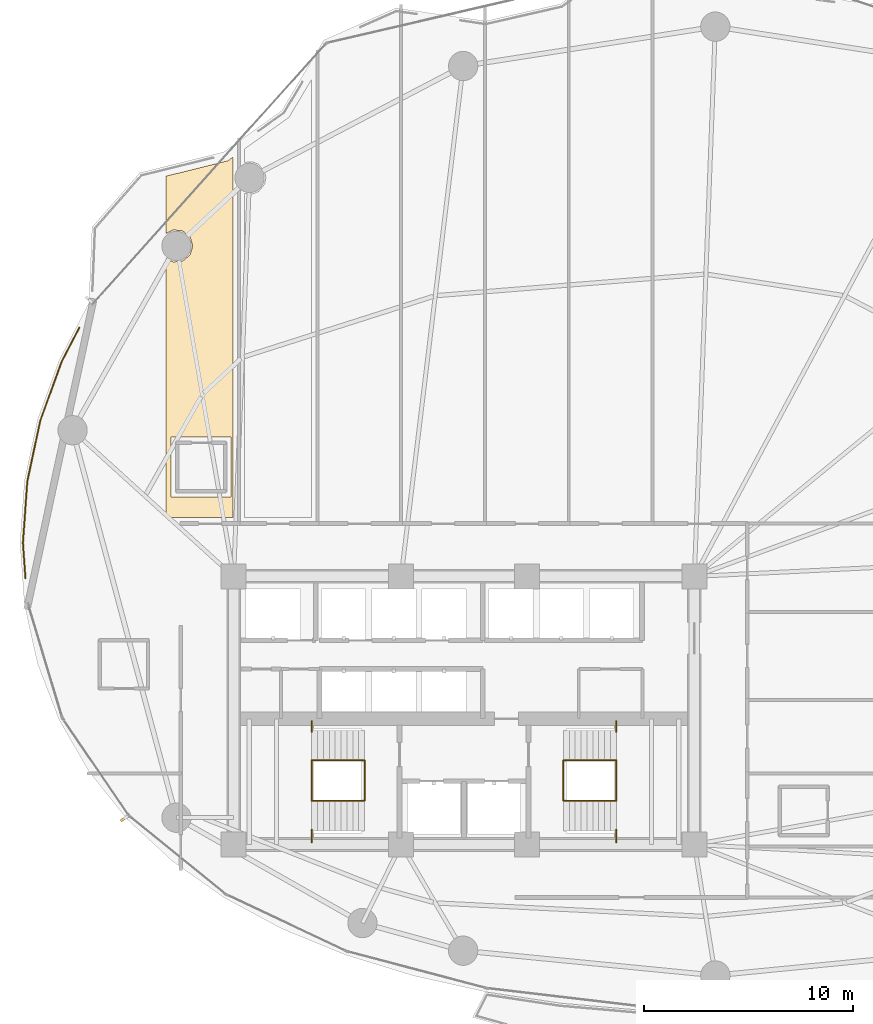
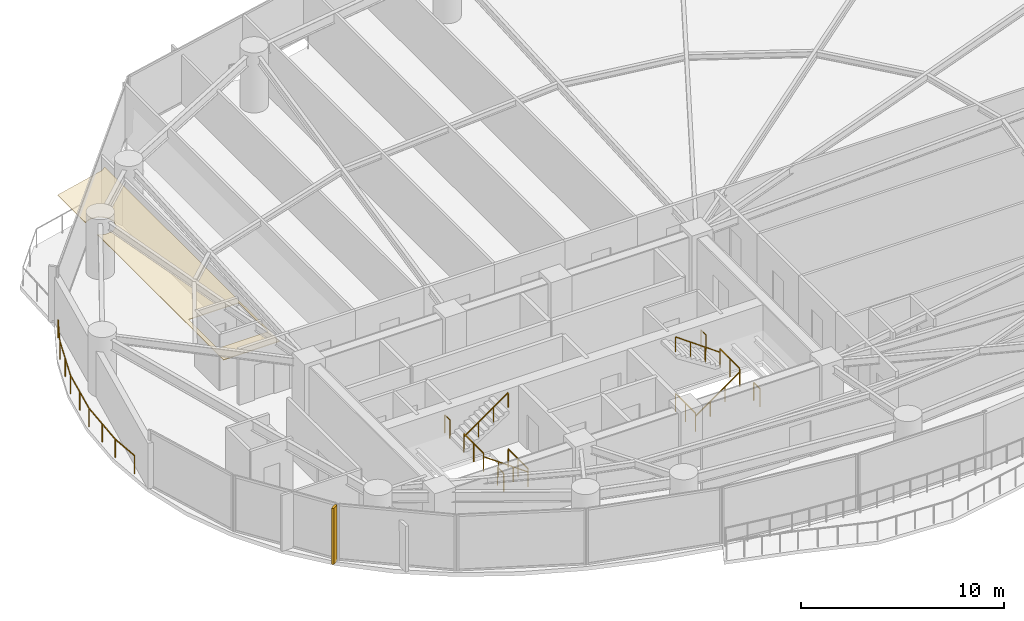
# One storey, part 29 of 31: 13 railings, 1 covering, 1 shading device.
"""IFC4 building model written with IfcOpenShell, lengths in metres."""

from ifc_helpers import new_model, si_unit, direction, frame, origin, origin_2d, place, context, subcontext, project, spatial, polyline, rectangle, outline, extrude, material, layer, layer_set, type_object, element, save


model = new_model("IFC4")

# Units and contexts
model_context = context("Model", 3, precision=1e-05, world=origin(), true_north=direction((0.0, 1.0)))
body_context = subcontext(model_context, "Body", "Model", "MODEL_VIEW")
ifc_project = project(units=[si_unit("LENGTHUNIT", "METRE"), si_unit("AREAUNIT", "SQUARE_METRE"), si_unit("VOLUMEUNIT", "CUBIC_METRE"), si_unit("PLANEANGLEUNIT", "RADIAN"), si_unit("MASSUNIT", "GRAM", prefix="KILO")], contexts=[model_context])

# Site, building, storey
site_placement = place(None, origin())
site = spatial("IfcSite", under=ifc_project, at=site_placement, CompositionType="ELEMENT")
building_placement = place(site_placement, origin())
building = spatial("IfcBuilding", under=site, at=building_placement, Name="Kazevale Care Tower and Concert Hall", CompositionType="ELEMENT")
storey_placement = place(building_placement, frame((0.0, 0.0, 81.60009765625)))
storey = spatial("IfcBuildingStorey", under=building, at=storey_placement, Name="L21", CompositionType="ELEMENT", Elevation=81.60009765625)

# Covering
ifc_material_1 = material(Name="Acoustic Plaster and Hinoki Wood", Category="wood")
ifc_layer = layer(ifc_material_1, 0.0400390625)
ifc_layer_set = layer_set([ifc_layer], Name="Acoustic Plaster and Hinoki Wood")
covering_type = type_object("IfcCoveringType", Name="Acoustic Perforated Wood-Gypsum Ceiling", PredefinedType="CEILING", material=ifc_layer_set)
covering_placement = place(storey_placement, frame((0.0, 0.0, 2.7099609375)))
element("IfcCovering", 1, at=covering_placement, inside=storey, type_object=covering_type, Name="clg:L21:1", PredefinedType="CEILING", context=body_context, shape_type="SweptSolid", body=[
    extrude(outline(polyline([(21.969970703125, 56.419921875), (21.969970703125, 39.205078125), (18.780029296875, 39.205078125), (18.780029296875, 51.577880859375), (19.117919921875, 51.4150390625), (19.568115234375, 51.458984375), (19.9189453125, 51.7470703125), (20.050048828125, 52.179931640625), (19.9189453125, 52.613037109375), (19.568115234375, 52.90087890625), (19.117919921875, 52.945068359375), (18.780029296875, 52.781982421875), (18.780029296875, 55.513916015625), (21.718994140625, 56.241943359375), (21.969970703125, 56.419921875)]), holes=[polyline([(19.02001953125, 43.054931640625), (19.02001953125, 40.195068359375), (21.8798828125, 40.195068359375), (21.8798828125, 43.054931640625), (19.02001953125, 43.054931640625)])]), origin(), (0.0, 0.0, 1.0), 0.0400390625),
])

# Railings
ifc_material_2 = material(Name="Anodised Bronze Aluminium and Laminated Glass", Category="aluminium")
railing_type_1 = type_object("IfcRailingType", Name="Balcony and Terrace Balustrade 1120", PredefinedType="BALUSTRADE", material=ifc_material_2)
railing_1_placement = place(storey_placement, frame((12.06005859375, 36.31103515625, 0.0)))
element("IfcRailing", 2, at=railing_1_placement, inside=storey, type_object=railing_type_1, Name="rail:L21:perim:1", PredefinedType="BALUSTRADE", context=body_context, shape_type="SweptSolid", body=[
    extrude(rectangle(XDim=0.048095703125, YDim=0.048095703125, at=origin_2d()), frame((0.0, 0.0, 1.09619140625), z_axis=(-0.070939644406, 0.997480609762, 0.0), x_axis=(-0.997480609762, -0.070939644406, 0.0)), (0.0, 0.0, 1.0), 1.693115234375),
    extrude(rectangle(XDim=0.048095703125, YDim=0.048095703125, at=origin_2d()), frame((-0.1201171875, 1.68896484375, 1.09619140625), z_axis=(0.070669368456, 0.997499794668, 0.0), x_axis=(-0.997499794668, 0.070669368456, 0.0)), (0.0, 0.0, 1.0), 2.943359375),
    extrude(rectangle(XDim=0.048095703125, YDim=0.048095703125, at=origin_2d()), frame((0.087890625, 4.625, 1.09619140625), z_axis=(0.208798068262, 0.977958775558, 0.0), x_axis=(-0.977958775558, 0.208798068262, 0.0)), (0.0, 0.0, 1.0), 2.96533203125),
    extrude(rectangle(XDim=0.048095703125, YDim=0.048095703125, at=origin_2d()), frame((0.70703125, 7.52490234375, 1.09619140625), z_axis=(0.340817262657, 0.940129562069, 0.0), x_axis=(-0.940129562069, 0.340817262657, 0.0)), (0.0, 0.0, 1.0), 3.007080078125),
    extrude(rectangle(XDim=0.048095703125, YDim=0.048095703125, at=origin_2d()), frame((1.73193359375, 10.35205078125, 1.09619140625), z_axis=(0.461849030606, 0.886958551979, 0.0), x_axis=(-0.886958551979, 0.461849030606, 0.0)), (0.0, 0.0, 1.0), 1.827392578125),
    extrude(rectangle(XDim=0.0419921875, YDim=0.0419921875, at=origin_2d()), origin(), (0.0, 0.0, 1.0), 1.072021484375),
    extrude(rectangle(XDim=0.0419921875, YDim=0.0419921875, at=origin_2d()), frame((-0.1201171875, 1.68896484375, 0.0)), (0.0, 0.0, 1.0), 1.072021484375),
    extrude(rectangle(XDim=0.0419921875, YDim=0.0419921875, at=origin_2d()), frame((-0.01611328125, 3.156982421875, 0.0)), (0.0, 0.0, 1.0), 1.072021484375),
    extrude(rectangle(XDim=0.0419921875, YDim=0.0419921875, at=origin_2d()), frame((0.087890625, 4.625, 0.0)), (0.0, 0.0, 1.0), 1.072021484375),
    extrude(rectangle(XDim=0.0419921875, YDim=0.0419921875, at=origin_2d()), frame((0.3974609375, 6.074951171875, 0.0)), (0.0, 0.0, 1.0), 1.072021484375),
    extrude(rectangle(XDim=0.0419921875, YDim=0.0419921875, at=origin_2d()), frame((0.70703125, 7.52490234375, 0.0)), (0.0, 0.0, 1.0), 1.072021484375),
    extrude(rectangle(XDim=0.0419921875, YDim=0.0419921875, at=origin_2d()), frame((1.219482421875, 8.9384765625, 0.0)), (0.0, 0.0, 1.0), 1.072021484375),
    extrude(rectangle(XDim=0.0419921875, YDim=0.0419921875, at=origin_2d()), frame((1.73193359375, 10.35205078125, 0.0)), (0.0, 0.0, 1.0), 1.072021484375),
    extrude(rectangle(XDim=0.0419921875, YDim=0.0419921875, at=origin_2d()), frame((2.575927734375, 11.972900390625, 0.0)), (0.0, 0.0, 1.0), 1.072021484375),
])
ifc_material_3 = material(Name="Stainless Steel 316", Category="steel")
railing_type_2 = type_object("IfcRailingType", Name="Stair Pitch Handrail 920", PredefinedType="HANDRAIL", material=ifc_material_3)
railing_2_placement = place(storey_placement, frame((28.25, 25.679931640625, 0.0)))
element("IfcRailing", 3, at=railing_2_placement, inside=storey, type_object=railing_type_2, Name="stair:L21:ST1:hr1", PredefinedType="HANDRAIL", context=body_context, shape_type="SweptSolid", body=[
    extrude(rectangle(XDim=0.048095703125, YDim=0.048095703125, at=origin_2d()), frame((0.0, 0.0, 0.89599609375), z_axis=(-0.813765431312, 0.0, 0.581193446971), x_axis=(0.0, -1.0, 0.0)), (0.0, 0.0, 1.0), 3.0966796875),
    extrude(rectangle(XDim=0.0419921875, YDim=0.0419921875, at=origin_2d()), origin(), (0.0, 0.0, 1.0), 0.871826171875),
    extrude(rectangle(XDim=0.0419921875, YDim=0.0419921875, at=origin_2d()), frame((-0.840087890625, 0.0, 0.599853515625)), (0.0, 0.0, 1.0), 0.871826171875),
    extrude(rectangle(XDim=0.0419921875, YDim=0.0419921875, at=origin_2d()), frame((-1.679931640625, 0.0, 1.199951171875)), (0.0, 0.0, 1.0), 0.871826171875),
    extrude(rectangle(XDim=0.0419921875, YDim=0.0419921875, at=origin_2d()), frame((-2.52001953125, 0.0, 1.7998046875)), (0.0, 0.0, 1.0), 0.871826171875),
])
railing_3_placement = place(storey_placement, frame((25.72998046875, 27.6201171875, 1.7998046875)))
element("IfcRailing", 4, at=railing_3_placement, inside=storey, type_object=railing_type_2, Name="stair:L21:ST1:hr2", PredefinedType="HANDRAIL", context=body_context, shape_type="SweptSolid", body=[
    extrude(rectangle(XDim=0.048095703125, YDim=0.048095703125, at=origin_2d()), frame((0.0, 0.0, 0.89599609375), z_axis=(0.813728144527, 0.0, 0.581245650998), x_axis=(0.0, 1.0, 0.0)), (0.0, 0.0, 1.0), 3.096923828125),
    extrude(rectangle(XDim=0.0419921875, YDim=0.0419921875, at=origin_2d()), origin(), (0.0, 0.0, 1.0), 0.871826171875),
    extrude(rectangle(XDim=0.0419921875, YDim=0.0419921875, at=origin_2d()), frame((0.840087890625, 0.0, 0.60009765625)), (0.0, 0.0, 1.0), 0.871826171875),
    extrude(rectangle(XDim=0.0419921875, YDim=0.0419921875, at=origin_2d()), frame((1.679931640625, 0.0, 1.199951171875)), (0.0, 0.0, 1.0), 0.871826171875),
    extrude(rectangle(XDim=0.0419921875, YDim=0.0419921875, at=origin_2d()), frame((2.52001953125, 0.0, 1.800048828125)), (0.0, 0.0, 1.0), 0.871826171875),
])
railing_4_placement = place(storey_placement, frame((37.75, 25.679931640625, 0.0)))
element("IfcRailing", 5, at=railing_4_placement, inside=storey, type_object=railing_type_2, Name="stair:L21:ST2:hr1", PredefinedType="HANDRAIL", context=body_context, shape_type="SweptSolid", body=[
    extrude(rectangle(XDim=0.048095703125, YDim=0.048095703125, at=origin_2d()), frame((0.0, 0.0, 0.89599609375), z_axis=(0.813765431312, 0.0, 0.581193446971), x_axis=(0.0, 1.0, 0.0)), (0.0, 0.0, 1.0), 3.0966796875),
    extrude(rectangle(XDim=0.0419921875, YDim=0.0419921875, at=origin_2d()), origin(), (0.0, 0.0, 1.0), 0.871826171875),
    extrude(rectangle(XDim=0.0419921875, YDim=0.0419921875, at=origin_2d()), frame((0.840087890625, 0.0, 0.599853515625)), (0.0, 0.0, 1.0), 0.871826171875),
    extrude(rectangle(XDim=0.0419921875, YDim=0.0419921875, at=origin_2d()), frame((1.679931640625, 0.0, 1.199951171875)), (0.0, 0.0, 1.0), 0.871826171875),
    extrude(rectangle(XDim=0.0419921875, YDim=0.0419921875, at=origin_2d()), frame((2.52001953125, 0.0, 1.7998046875)), (0.0, 0.0, 1.0), 0.871826171875),
])
railing_5_placement = place(storey_placement, frame((40.27001953125, 27.6201171875, 1.7998046875)))
element("IfcRailing", 6, at=railing_5_placement, inside=storey, type_object=railing_type_2, Name="stair:L21:ST2:hr2", PredefinedType="HANDRAIL", context=body_context, shape_type="SweptSolid", body=[
    extrude(rectangle(XDim=0.048095703125, YDim=0.048095703125, at=origin_2d()), frame((0.0, 0.0, 0.89599609375), z_axis=(-0.813728144527, 0.0, 0.581245650998), x_axis=(0.0, -1.0, 0.0)), (0.0, 0.0, 1.0), 3.096923828125),
    extrude(rectangle(XDim=0.0419921875, YDim=0.0419921875, at=origin_2d()), origin(), (0.0, 0.0, 1.0), 0.871826171875),
    extrude(rectangle(XDim=0.0419921875, YDim=0.0419921875, at=origin_2d()), frame((-0.840087890625, 0.0, 0.60009765625)), (0.0, 0.0, 1.0), 0.871826171875),
    extrude(rectangle(XDim=0.0419921875, YDim=0.0419921875, at=origin_2d()), frame((-1.679931640625, 0.0, 1.199951171875)), (0.0, 0.0, 1.0), 0.871826171875),
    extrude(rectangle(XDim=0.0419921875, YDim=0.0419921875, at=origin_2d()), frame((-2.52001953125, 0.0, 1.800048828125)), (0.0, 0.0, 1.0), 0.871826171875),
])
railing_type_3 = type_object("IfcRailingType", Name="Stair Well Guard Balustrade 1120", PredefinedType="BALUSTRADE", material=ifc_material_3)
railing_6_placement = place(storey_placement, frame((25.72998046875, 23.699951171875, 1.7998046875)))
element("IfcRailing", 7, at=railing_6_placement, inside=storey, type_object=railing_type_3, Name="stair:L21:ST1:grd_side1", PredefinedType="BALUSTRADE", context=body_context, shape_type="SweptSolid", body=[
    extrude(rectangle(XDim=0.048095703125, YDim=0.048095703125, at=origin_2d()), frame((0.0, 0.0, 1.09619140625), z_axis=(0.0, 1.0, 0.0), x_axis=(-1.0, 0.0, 0.0)), (0.0, 0.0, 1.0), 0.610107421875),
    extrude(rectangle(XDim=0.0419921875, YDim=0.0419921875, at=origin_2d()), origin(), (0.0, 0.0, 1.0), 1.072021484375),
    extrude(rectangle(XDim=0.0419921875, YDim=0.0419921875, at=origin_2d()), frame((0.0, 0.610107421875, 0.0)), (0.0, 0.0, 1.0), 1.072021484375),
])
railing_7_placement = place(storey_placement, frame((25.72998046875, 28.989990234375, 1.7998046875)))
element("IfcRailing", 8, at=railing_7_placement, inside=storey, type_object=railing_type_3, Name="stair:L21:ST1:grd_side2", PredefinedType="BALUSTRADE", context=body_context, shape_type="SweptSolid", body=[
    extrude(rectangle(XDim=0.048095703125, YDim=0.048095703125, at=origin_2d()), frame((0.0, 0.0, 1.09619140625), z_axis=(0.0, 1.0, 0.0), x_axis=(-1.0, 0.0, 0.0)), (0.0, 0.0, 1.0), 0.510009765625),
    extrude(rectangle(XDim=0.0419921875, YDim=0.0419921875, at=origin_2d()), origin(), (0.0, 0.0, 1.0), 1.072021484375),
    extrude(rectangle(XDim=0.0419921875, YDim=0.0419921875, at=origin_2d()), frame((0.0, 0.510009765625, 0.0)), (0.0, 0.0, 1.0), 1.072021484375),
])
for number, where, name in (
    (9, (25.72998046875, 25.679931640625, 1.7998046875), "stair:L21:ST1:grd_mid"),
    (10, (28.25, 25.679931640625, 0.0), "stair:L21:ST1:grd_flr"),
):
    element("IfcRailing", number, at=place(storey_placement, frame(where)), inside=storey, type_object=railing_type_3, Name=name, PredefinedType="BALUSTRADE", context=body_context, shape_type="SweptSolid", body=[
        extrude(rectangle(XDim=0.048095703125, YDim=0.048095703125, at=origin_2d()), frame((0.0, 0.0, 1.09619140625), z_axis=(0.0, 1.0, 0.0), x_axis=(-1.0, 0.0, 0.0)), (0.0, 0.0, 1.0), 1.940185546875),
        extrude(rectangle(XDim=0.0419921875, YDim=0.0419921875, at=origin_2d()), origin(), (0.0, 0.0, 1.0), 1.072021484375),
        extrude(rectangle(XDim=0.0419921875, YDim=0.0419921875, at=origin_2d()), frame((0.0, 0.97021484375, 0.0)), (0.0, 0.0, 1.0), 1.072021484375),
        extrude(rectangle(XDim=0.0419921875, YDim=0.0419921875, at=origin_2d()), frame((0.0, 1.940185546875, 0.0)), (0.0, 0.0, 1.0), 1.072021484375),
    ])
railing_8_placement = place(storey_placement, frame((40.27001953125, 23.699951171875, 1.7998046875)))
element("IfcRailing", 11, at=railing_8_placement, inside=storey, type_object=railing_type_3, Name="stair:L21:ST2:grd_side1", PredefinedType="BALUSTRADE", context=body_context, shape_type="SweptSolid", body=[
    extrude(rectangle(XDim=0.048095703125, YDim=0.048095703125, at=origin_2d()), frame((0.0, 0.0, 1.09619140625), z_axis=(0.0, 1.0, 0.0), x_axis=(-1.0, 0.0, 0.0)), (0.0, 0.0, 1.0), 0.610107421875),
    extrude(rectangle(XDim=0.0419921875, YDim=0.0419921875, at=origin_2d()), origin(), (0.0, 0.0, 1.0), 1.072021484375),
    extrude(rectangle(XDim=0.0419921875, YDim=0.0419921875, at=origin_2d()), frame((0.0, 0.610107421875, 0.0)), (0.0, 0.0, 1.0), 1.072021484375),
])
railing_9_placement = place(storey_placement, frame((40.27001953125, 28.989990234375, 1.7998046875)))
element("IfcRailing", 12, at=railing_9_placement, inside=storey, type_object=railing_type_3, Name="stair:L21:ST2:grd_side2", PredefinedType="BALUSTRADE", context=body_context, shape_type="SweptSolid", body=[
    extrude(rectangle(XDim=0.048095703125, YDim=0.048095703125, at=origin_2d()), frame((0.0, 0.0, 1.09619140625), z_axis=(0.0, 1.0, 0.0), x_axis=(-1.0, 0.0, 0.0)), (0.0, 0.0, 1.0), 0.510009765625),
    extrude(rectangle(XDim=0.0419921875, YDim=0.0419921875, at=origin_2d()), origin(), (0.0, 0.0, 1.0), 1.072021484375),
    extrude(rectangle(XDim=0.0419921875, YDim=0.0419921875, at=origin_2d()), frame((0.0, 0.510009765625, 0.0)), (0.0, 0.0, 1.0), 1.072021484375),
])
for number, where, name in (
    (13, (40.27001953125, 25.679931640625, 1.7998046875), "stair:L21:ST2:grd_mid"),
    (14, (37.75, 25.679931640625, 0.0), "stair:L21:ST2:grd_flr"),
):
    element("IfcRailing", number, at=place(storey_placement, frame(where)), inside=storey, type_object=railing_type_3, Name=name, PredefinedType="BALUSTRADE", context=body_context, shape_type="SweptSolid", body=[
        extrude(rectangle(XDim=0.048095703125, YDim=0.048095703125, at=origin_2d()), frame((0.0, 0.0, 1.09619140625), z_axis=(0.0, 1.0, 0.0), x_axis=(-1.0, 0.0, 0.0)), (0.0, 0.0, 1.0), 1.940185546875),
        extrude(rectangle(XDim=0.0419921875, YDim=0.0419921875, at=origin_2d()), origin(), (0.0, 0.0, 1.0), 1.072021484375),
        extrude(rectangle(XDim=0.0419921875, YDim=0.0419921875, at=origin_2d()), frame((0.0, 0.97021484375, 0.0)), (0.0, 0.0, 1.0), 1.072021484375),
        extrude(rectangle(XDim=0.0419921875, YDim=0.0419921875, at=origin_2d()), frame((0.0, 1.940185546875, 0.0)), (0.0, 0.0, 1.0), 1.072021484375),
    ])

# Shading device
ifc_material_4 = material(Name="Honed Ochre Limestone", Category="masonry")
shading_device_type = type_object("IfcShadingDeviceType", Name="Vertical Honed Limestone Fin FIN-01", PredefinedType="USERDEFINED", material=ifc_material_4)
shading_device_placement = place(storey_placement, frame((16.7705078125, 24.83447265625, 0.0), z_axis=(0.0, 0.0, 1.0), x_axis=(-0.825999928064, -0.563670221706, 0.0)))
element("IfcShadingDevice", 15, at=shading_device_placement, inside=storey, type_object=shading_device_type, Name="cw:L21:f11:fin", ObjectType="FIN", PredefinedType="USERDEFINED", context=body_context, shape_type="SweptSolid", body=[
    extrude(rectangle(XDim=0.3798828125, YDim=0.1201171875, at=origin_2d()), origin(), (0.0, 0.0, 1.0), 3.360107421875),
])

save(model, "model.ifc")
